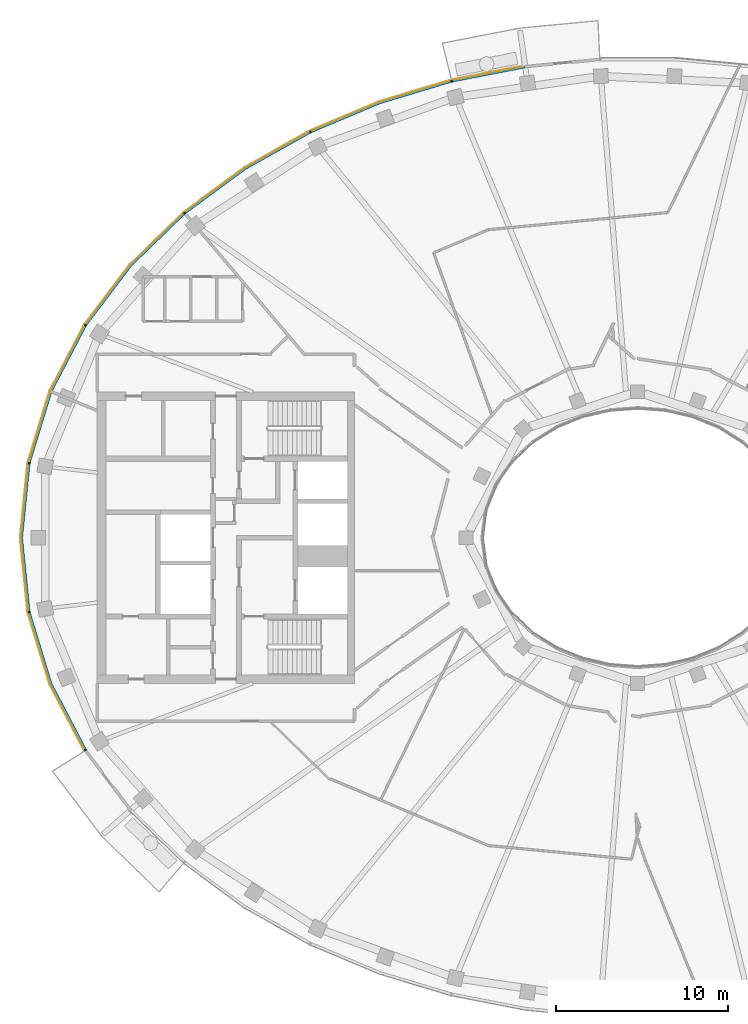
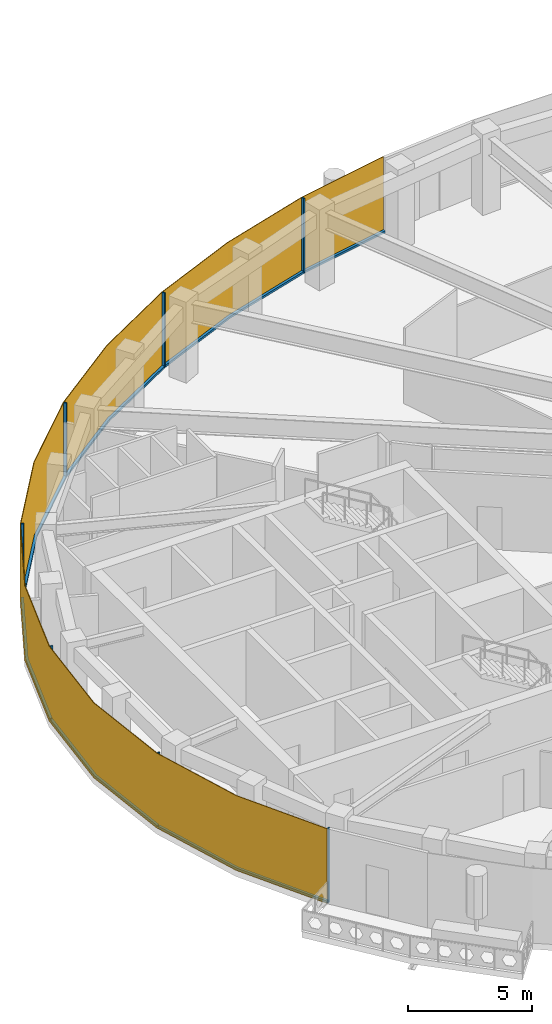
# One storey, part 15 of 20: 14 members, 1 curtain wall.
"""IFC4 building model written with IfcOpenShell, lengths in metres."""

from ifc_helpers import new_model, si_unit, direction, frame, origin, origin_2d, place, context, subcontext, project, spatial, polyline, rectangle, outline, extrude, material, layer, layer_set, material_profile, profile_set, type_object, element, aggregate, save


model = new_model("IFC4")

# Units and contexts
model_context = context("Model", 3, precision=1e-05, world=origin(), true_north=direction((0.0, 1.0)))
body_context = subcontext(model_context, "Body", "Model", "MODEL_VIEW")
ifc_project = project(units=[si_unit("LENGTHUNIT", "METRE"), si_unit("AREAUNIT", "SQUARE_METRE"), si_unit("VOLUMEUNIT", "CUBIC_METRE"), si_unit("PLANEANGLEUNIT", "RADIAN"), si_unit("MASSUNIT", "GRAM", prefix="KILO")], contexts=[model_context])

# Member
ifc_material_1 = material(Name="Aluminium 6063-T6 black anodised", Category="aluminium")
ifc_material_profile = material_profile(ifc_material_1, rectangle(XDim=0.1201171875, YDim=0.06005859375, at=origin_2d()), Name="120x60")
ifc_profile_set = profile_set([ifc_material_profile], Name="Aluminium 6063-T6 black anodised")
member_type_1 = type_object("IfcMemberType", Name="ENV-MULLION-A-120", PredefinedType="MULLION", material=ifc_profile_set)
site_placement = place(None, origin())
building_placement = place(site_placement, origin())
storey_placement = place(building_placement, frame((0.0, 0.0, 323.0)))
member_1_placement = place(storey_placement, frame((-10.84326171875, 26.60498046875, 0.0), z_axis=(0.0, 0.0, 1.0), x_axis=(0.239799081534, -0.970822538106, 0.0)))
member_1 = element("IfcMember", 1, at=member_1_placement, type_object=member_type_1, Name="Mullion A radial 15", PredefinedType="MULLION", context=body_context, shape_type="SweptSolid", body=[
    extrude(rectangle(XDim=0.1201171875, YDim=0.06005859375, at=origin_2d()), origin(), (0.0, 0.0, 1.0), 3.699951171875),
])

member_2_placement = place(storey_placement, frame((-19.06787109375, 23.6474609375, 0.0), z_axis=(0.0, 0.0, 1.0), x_axis=(0.439237769837, -0.898370848563, 0.0)))
member_2 = element("IfcMember", 2, at=member_2_placement, type_object=member_type_1, Name="Mullion A radial 17", PredefinedType="MULLION", context=body_context, shape_type="SweptSolid", body=[
    extrude(rectangle(XDim=0.1201171875, YDim=0.06005859375, at=origin_2d()), origin(), (0.0, 0.0, 1.0), 3.699951171875),
])

member_3_placement = place(storey_placement, frame((-26.403564453125, 18.9130859375, 0.0), z_axis=(0.0, 0.0, 1.0), x_axis=(0.646451313783, -0.762955240435, 0.0)))
member_3 = element("IfcMember", 3, at=member_3_placement, type_object=member_type_1, Name="Mullion A radial 19", PredefinedType="MULLION", context=body_context, shape_type="SweptSolid", body=[
    extrude(rectangle(XDim=0.1201171875, YDim=0.06005859375, at=origin_2d()), origin(), (0.0, 0.0, 1.0), 3.699951171875),
])

member_4_placement = place(storey_placement, frame((-32.177490234375, 12.385498046875, 0.0), z_axis=(0.0, 0.0, 1.0), x_axis=(0.844829880882, -0.53503501976, 0.0)))
member_4 = element("IfcMember", 4, at=member_4_placement, type_object=member_type_1, Name="Mullion A radial 21", PredefinedType="MULLION", context=body_context, shape_type="SweptSolid", body=[
    extrude(rectangle(XDim=0.1201171875, YDim=0.06005859375, at=origin_2d()), origin(), (0.0, 0.0, 1.0), 3.699951171875),
])

member_5_placement = place(storey_placement, frame((-35.470947265625, 4.340576171875, 0.0), z_axis=(0.0, 0.0, 1.0), x_axis=(0.980379083141, -0.19712141776, 0.0)))
member_5 = element("IfcMember", 5, at=member_5_placement, type_object=member_type_1, Name="Mullion A radial 23", PredefinedType="MULLION", context=body_context, shape_type="SweptSolid", body=[
    extrude(rectangle(XDim=0.1201171875, YDim=0.06005859375, at=origin_2d()), origin(), (0.0, 0.0, 1.0), 3.699951171875),
])

member_6_placement = place(storey_placement, frame((-35.470947265625, -4.340576171875, 0.0), z_axis=(0.0, 0.0, 1.0), x_axis=(0.980379083141, 0.19712141776, 0.0)))
member_6 = element("IfcMember", 6, at=member_6_placement, type_object=member_type_1, Name="Mullion A radial 25", PredefinedType="MULLION", context=body_context, shape_type="SweptSolid", body=[
    extrude(rectangle(XDim=0.1201171875, YDim=0.06005859375, at=origin_2d()), origin(), (0.0, 0.0, 1.0), 3.699951171875),
])

member_7_placement = place(storey_placement, frame((-32.177490234375, -12.385498046875, 0.0), z_axis=(0.0, 0.0, 1.0), x_axis=(0.844829880882, 0.53503501976, 0.0)))
member_7 = element("IfcMember", 7, at=member_7_placement, type_object=member_type_1, Name="Mullion A radial 27", PredefinedType="MULLION", context=body_context, shape_type="SweptSolid", body=[
    extrude(rectangle(XDim=0.1201171875, YDim=0.06005859375, at=origin_2d()), origin(), (0.0, 0.0, 1.0), 3.699951171875),
])

ifc_material_2 = material(Name="Aluminium 6063-T6 black anodised", Category="aluminium")
member_type_2 = type_object("IfcMemberType", Name="ENV-TRANSOM-A", PredefinedType="USERDEFINED", material=ifc_material_2)
member_8_placement = place(storey_placement, origin())
member_8 = element("IfcMember", 8, at=member_8_placement, type_object=member_type_2, Name="Transom A radial 14-15", ObjectType="TRANSOM", PredefinedType="USERDEFINED", context=body_context, shape_type="SweptSolid", body=[
    extrude(outline(polyline([(-6.57470703125, 27.49560546875), (-10.830078125, 26.66845703125), (-10.80126953125, 26.552001953125), (-6.5576171875, 27.376708984375), (-6.57470703125, 27.49560546875)])), origin(), (0.0, 0.0, 1.0), 0.10009765625),
])

member_9_placement = place(storey_placement, origin())
member_9 = element("IfcMember", 9, at=member_9_placement, type_object=member_type_2, Name="Transom A radial 15-17", ObjectType="TRANSOM", PredefinedType="USERDEFINED", context=body_context, shape_type="SweptSolid", body=[
    extrude(outline(polyline([(-10.884521484375, 26.655029296875), (-15.054443359375, 25.400146484375), (-19.068359375, 23.71240234375), (-19.015380859375, 23.604248046875), (-15.013916015625, 25.287109375), (-10.855712890625, 26.53857421875), (-10.884521484375, 26.655029296875)])), origin(), (0.0, 0.0, 1.0), 0.10009765625),
])

member_10_placement = place(storey_placement, origin())
member_10 = element("IfcMember", 10, at=member_10_placement, type_object=member_type_2, Name="Transom A radial 17-19", ObjectType="TRANSOM", PredefinedType="USERDEFINED", context=body_context, shape_type="SweptSolid", body=[
    extrude(outline(polyline([(-19.11865234375, 23.687744140625), (-22.9150390625, 21.556884765625), (-26.419921875, 18.975341796875), (-26.342041015625, 18.883544921875), (-22.85009765625, 21.455810546875), (-19.06591796875, 23.57958984375), (-19.11865234375, 23.687744140625)])), origin(), (0.0, 0.0, 1.0), 0.10009765625),
])

member_11_placement = place(storey_placement, origin())
member_11 = element("IfcMember", 11, at=member_11_placement, type_object=member_type_2, Name="Transom A radial 19-21", ObjectType="TRANSOM", PredefinedType="USERDEFINED", context=body_context, shape_type="SweptSolid", body=[
    extrude(outline(polyline([(-26.46240234375, 18.939208984375), (-29.58349609375, 15.906982421875), (-32.211181640625, 12.43994140625), (-32.109375, 12.37548828125), (-29.493408203125, 15.8271484375), (-26.384765625, 18.847412109375), (-26.46240234375, 18.939208984375)])), origin(), (0.0, 0.0, 1.0), 0.10009765625),
])

member_12_placement = place(storey_placement, origin())
member_12 = element("IfcMember", 12, at=member_12_placement, type_object=member_type_2, Name="Transom A radial 21-23", ObjectType="TRANSOM", PredefinedType="USERDEFINED", context=body_context, shape_type="SweptSolid", body=[
    extrude(outline(polyline([(-32.240966796875, 12.392578125), (-34.251220703125, 8.53662109375), (-35.521484375, 4.379150390625), (-35.4033203125, 4.355224609375), (-34.139892578125, 8.490966796875), (-32.139404296875, 12.328369140625), (-32.240966796875, 12.392578125)])), origin(), (0.0, 0.0, 1.0), 0.10009765625),
])

member_13_placement = place(storey_placement, origin())
member_13 = element("IfcMember", 13, at=member_13_placement, type_object=member_type_2, Name="Transom A radial 23-25", ObjectType="TRANSOM", PredefinedType="USERDEFINED", context=body_context, shape_type="SweptSolid", body=[
    extrude(outline(polyline([(-35.532470703125, 4.324462890625), (-35.9677734375, 0.0), (-35.532470703125, -4.324462890625), (-35.414306640625, -4.30078125), (-35.84716796875, 0.0), (-35.414306640625, 4.30078125), (-35.532470703125, 4.324462890625)])), origin(), (0.0, 0.0, 1.0), 0.10009765625),
])

member_14_placement = place(storey_placement, origin())
member_14 = element("IfcMember", 14, at=member_14_placement, type_object=member_type_2, Name="Transom A radial 25-27", ObjectType="TRANSOM", PredefinedType="USERDEFINED", context=body_context, shape_type="SweptSolid", body=[
    extrude(outline(polyline([(-35.521484375, -4.379150390625), (-34.251220703125, -8.53662109375), (-32.240966796875, -12.392578125), (-32.139404296875, -12.328369140625), (-34.139892578125, -8.490966796875), (-35.4033203125, -4.355224609375), (-35.521484375, -4.379150390625)])), origin(), (0.0, 0.0, 1.0), 0.10009765625),
])

# Site, building, storey
site = spatial("IfcSite", under=ifc_project, at=site_placement, CompositionType="ELEMENT")
building = spatial("IfcBuilding", under=site, at=building_placement, Name="Noorbagh Ring Tower", CompositionType="ELEMENT")
storey = spatial("IfcBuildingStorey", under=building, at=storey_placement, Name="L70", CompositionType="ELEMENT", Elevation=323.0)

# Curtain wall
ifc_material_3 = material(Name="Glass dark tinted laminated", Category="glass")
ifc_layer = layer(ifc_material_3, 0.031982421875)
ifc_layer_set = layer_set([ifc_layer], Name="Glass dark tinted laminated")
curtain_wall_type = type_object("IfcCurtainWallType", Name="ENV-CW-A", PredefinedType="NOTDEFINED", material=ifc_layer_set)
curtain_wall_placement = place(storey_placement, origin())
curtain_wall = element("IfcCurtainWall", 15, at=curtain_wall_placement, inside=storey, type_object=curtain_wall_type, Name="Curtain wall A R14", PredefinedType="NOTDEFINED", context=body_context, shape_type="SweptSolid", body=[
    extrude(outline(polyline([(-6.579345703125, 27.52734375), (-10.865234375, 26.6943359375), (-15.065185546875, 25.430419921875), (-19.108154296875, 23.730224609375), (-22.9326171875, 21.583740234375), (-26.463134765625, 18.9833984375), (-29.607666015625, 15.927978515625), (-32.255126953125, 12.434814453125), (-34.281005859375, 8.548828125), (-35.561279296875, 4.358642578125), (-36.0, 0.0), (-35.561279296875, -4.358642578125), (-34.281005859375, -8.548828125), (-32.264404296875, -12.4169921875), (-32.2373046875, -12.39990234375), (-34.251220703125, -8.53662109375), (-35.529541015625, -4.352294921875), (-35.9677734375, 0.0), (-35.529541015625, 4.352294921875), (-34.251220703125, 8.53662109375), (-32.22802734375, 12.41748046875), (-29.58349609375, 15.906982421875), (-26.4423828125, 18.958740234375), (-22.9150390625, 21.556884765625), (-19.093994140625, 23.701416015625), (-15.054443359375, 25.400146484375), (-10.857666015625, 26.6630859375), (-6.57470703125, 27.49560546875), (-6.579345703125, 27.52734375)])), origin(), (0.0, 0.0, 1.0), 3.699951171875),
])

aggregate(curtain_wall, [member_1, member_2, member_3, member_4, member_5, member_6, member_7, member_8, member_9, member_10, member_11, member_12, member_13, member_14])

save(model, "model.ifc")
